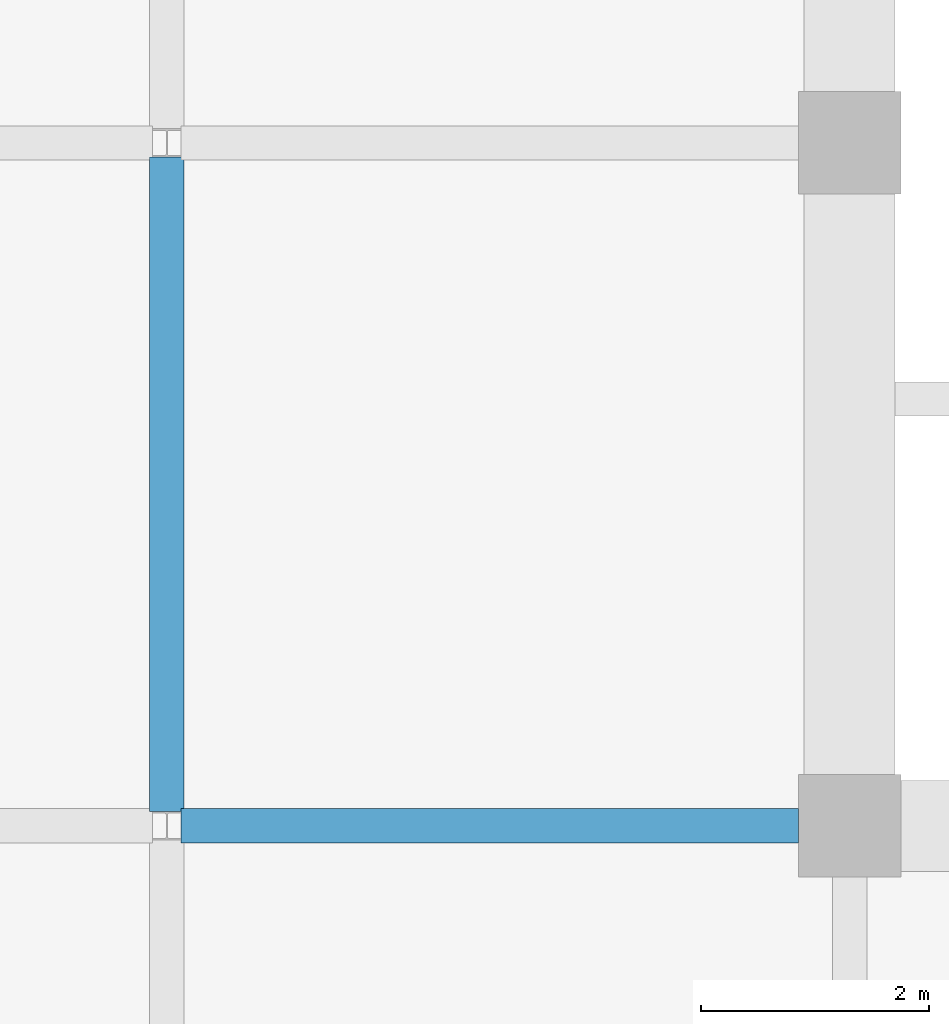
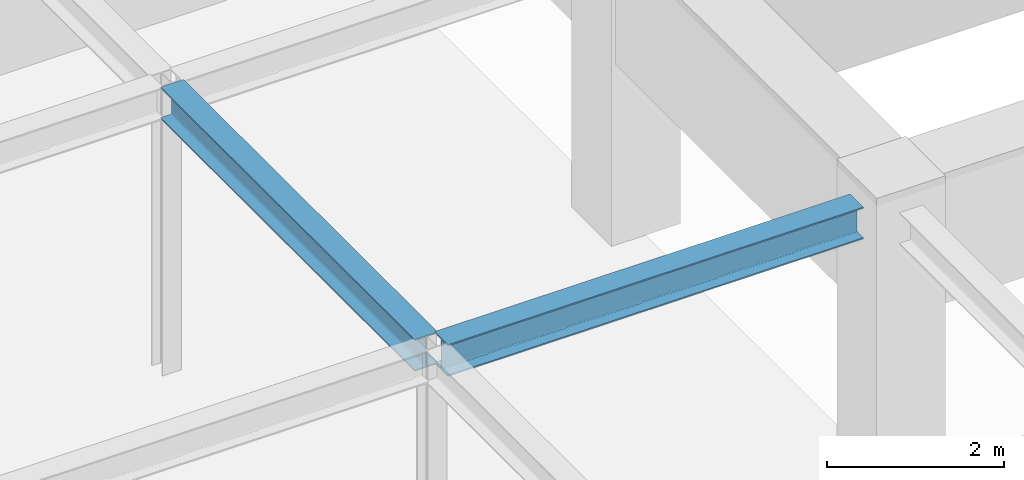
# One storey, part 50 of 111: 2 beams.
"""IFC4 building model written with IfcOpenShell, lengths in metres."""

import ifcopenshell
import ifcopenshell.guid

model = None  # the IFC model being written
_history = None  # IfcOwnerHistory: only IFC2X3 demands one
_inside = {}  # id of a spatial element -> (the spatial element, [elements in it])
_under = {}  # id of a project, library or spatial element -> (it, [spatial elements below it])
_declared = {}  # id of a project -> (the project, [libraries it declares])
_typed = {}  # id of a type object -> (the type object, [elements of that type])
_made_of = {}  # id of a material, layer set ... -> (it, [elements and type objects made of it])


def new_model(schema):
    """Start an empty IFC model of exactly this schema.

    Asked for "IFC4X3", IfcOpenShell would pick the latest addendum, in which some entities
    have other attributes; the version numbers below select the first issue.
    IFC2X3 requires an IfcOwnerHistory on every rooted entity: one is made here for all.
    """
    global model, _history
    if schema == "IFC4X3":
        model = ifcopenshell.file(schema_version=(4, 3, 0, 0))
    else:
        model = ifcopenshell.file(schema=schema)
    _inside.clear()
    _under.clear()
    _declared.clear()
    _typed.clear()
    _made_of.clear()
    _history = None
    if model.schema == "IFC2X3":
        org = make("IfcOrganization", Name="unknown")
        user = make(
            "IfcPersonAndOrganization",
            ThePerson=make("IfcPerson", FamilyName="unknown"),
            TheOrganization=org,
        )
        app = make(
            "IfcApplication",
            ApplicationDeveloper=org,
            Version="unknown",
            ApplicationFullName="unknown",
            ApplicationIdentifier="unknown",
        )
        _history = make(
            "IfcOwnerHistory",
            OwningUser=user,
            OwningApplication=app,
            ChangeAction="ADDED",
            CreationDate=0,
        )
    return model


def make(cls, **values):
    """One entity of the class cls with the attributes given. An attribute that is None is left unset."""
    return model.create_entity(
        cls, **{name: value for name, value in values.items() if value is not None}
    )


def rooted(cls, **values):
    """An entity with a GlobalId (a new one), such as an element, a storey or a relation."""
    return make(cls, GlobalId=ifcopenshell.guid.new(), OwnerHistory=_history, **values)


def si_unit(unit_type, name, prefix=None):
    """IfcSIUnit, for example si_unit("LENGTHUNIT", "METRE", prefix="MILLI")."""
    return make("IfcSIUnit", UnitType=unit_type, Prefix=prefix, Name=name)


def assignment(units):
    """IfcUnitAssignment: the units of a project."""
    return None if units is None else make("IfcUnitAssignment", Units=units)


def point(xyz):
    """IfcCartesianPoint."""
    return None if xyz is None else make("IfcCartesianPoint", Coordinates=xyz)


def direction(xyz):
    """IfcDirection."""
    return None if xyz is None else make("IfcDirection", DirectionRatios=xyz)


def frame(location, z_axis=None, x_axis=None):
    """IfcAxis2Placement3D, a coordinate frame: its origin and axes. An axis left out is left unset."""
    return make(
        "IfcAxis2Placement3D",
        Location=point(location),
        Axis=direction(z_axis),
        RefDirection=direction(x_axis),
    )


def frame_2d(location, x_axis=None):
    """IfcAxis2Placement2D, a coordinate frame in the plane: its origin and x axis."""
    return make(
        "IfcAxis2Placement2D", Location=point(location), RefDirection=direction(x_axis)
    )


def origin():
    """The frame at (0, 0, 0) with its axes left unset."""
    return frame((0.0, 0.0, 0.0))


def origin_2d():
    """The frame at (0, 0) in the plane with its x axis left unset."""
    return frame_2d((0.0, 0.0))


def place(relative_to, where):
    """IfcLocalPlacement: puts the frame where relative to a parent placement (None: the world)."""
    return make(
        "IfcLocalPlacement", PlacementRelTo=relative_to, RelativePlacement=where
    )


def context(
    kind, dimensions, precision=None, world=None, true_north=None, identifier=None
):
    """IfcGeometricRepresentationContext, for example the 3D "Model" context."""
    return make(
        "IfcGeometricRepresentationContext",
        ContextIdentifier=identifier,
        ContextType=kind,
        CoordinateSpaceDimension=dimensions,
        Precision=precision,
        WorldCoordinateSystem=world,
        TrueNorth=true_north,
    )


def subcontext(parent, identifier, kind, view, scale=None):
    """IfcGeometricRepresentationSubContext, for example "Body" below "Model"."""
    return make(
        "IfcGeometricRepresentationSubContext",
        ContextIdentifier=identifier,
        ContextType=kind,
        ParentContext=parent,
        TargetScale=scale,
        TargetView=view,
    )


def project(units=None, contexts=None):
    """IfcProject with its units and contexts."""
    return rooted(
        "IfcProject",
        Name="project",
        RepresentationContexts=contexts,
        UnitsInContext=assignment(units),
    )


def spatial(cls, under=None, at=None, **own):
    """A site, building, storey or space (cls), placed at a placement, below another one or the project."""
    s = rooted(cls, ObjectPlacement=at, **own)
    if under is not None:
        _under.setdefault(under.id(), (under, []))[1].append(s)
    return s


def profile(cls, at=None, kind="AREA", **sizes):
    """A parametric profile (cls). Its sizes go by their IFC names, for example OverallWidth=200.0."""
    return make(cls, ProfileType=kind, Position=at, **sizes)


def i_section(**sizes):
    """IfcIShapeProfileDef."""
    return profile("IfcIShapeProfileDef", **sizes)


def extrude(swept, where, along, depth):
    """IfcExtrudedAreaSolid: the profile swept, set in the frame where, extruded along a direction by depth."""
    return make(
        "IfcExtrudedAreaSolid",
        SweptArea=swept,
        Position=where,
        ExtrudedDirection=direction(along),
        Depth=depth,
    )


def shape(context_of_items, identifier, shape_type, items):
    """IfcShapeRepresentation: the items that make up one representation, for example the "Body"."""
    return make(
        "IfcShapeRepresentation",
        ContextOfItems=context_of_items,
        RepresentationIdentifier=identifier,
        RepresentationType=shape_type,
        Items=items,
    )


def material(Name=None, Category=None):
    """IfcMaterial."""
    return make("IfcMaterial", Name=Name, Category=Category)


def material_profile(
    of_material, cross_section, Name=None, Category=None, Priority=None
):
    """IfcMaterialProfile: a cross section and its material."""
    return make(
        "IfcMaterialProfile",
        Name=Name,
        Material=of_material,
        Profile=cross_section,
        Priority=Priority,
        Category=Category,
    )


def profile_set(profiles, Name=None, composite=None):
    """IfcMaterialProfileSet."""
    return make(
        "IfcMaterialProfileSet",
        Name=Name,
        MaterialProfiles=profiles,
        CompositeProfile=composite,
    )


def made_of(thing, what):
    """Note that an element or type object is made of a material, layer set ...; save() writes the relation."""
    if what is not None:
        _made_of.setdefault(what.id(), (what, []))[1].append(thing)
    return thing


def type_object(cls, material=None, **own):
    """A type object (cls), such as IfcWallType, which elements share."""
    return made_of(rooted(cls, **own), material)


def element(
    cls,
    number,
    at=None,
    inside=None,
    cuts=None,
    type_object=None,
    material=None,
    context=None,
    identifier="Body",
    shape_type=None,
    held_by="IfcProductDefinitionShape",
    body=None,
    shapes=None,
    **own,
):
    """One element of the class cls, such as IfcWall. Its Tag is "e" and its number.

    at: its placement. inside: the storey or other place that contains it. cuts: it is an
    opening in that element (IfcRelVoidsElement). A single representation is given by context,
    identifier, shape_type and body (its items); several are given by shapes. held_by: the class
    of the entity that holds the representations. save() writes the other relations.
    """
    e = rooted(cls, Tag="e%d" % number, ObjectPlacement=at, **own)
    if body is not None:
        shapes = [shape(context, identifier, shape_type, body)]
    if shapes is not None:
        e.Representation = make(held_by, Representations=shapes)
    if inside is not None:
        _inside.setdefault(inside.id(), (inside, []))[1].append(e)
    if cuts is not None:
        rooted(
            "IfcRelVoidsElement", RelatingBuildingElement=cuts, RelatedOpeningElement=e
        )
    if type_object is not None:
        _typed.setdefault(type_object.id(), (type_object, []))[1].append(e)
    return made_of(e, material)


def aggregate(whole, parts):
    """IfcRelAggregates: a whole, such as a stair, and the parts it consists of."""
    return rooted("IfcRelAggregates", RelatingObject=whole, RelatedObjects=parts)


def save(model, path):
    """Write the relations noted so far, then the file.

    IfcRelAggregates (storeys below a building ...), IfcRelContainedInSpatialStructure (elements
    in a storey), IfcRelDefinesByType, IfcRelAssociatesMaterial and IfcRelDeclares: one each for
    every whole, place, type object, material and project.
    """
    for whole, parts in _under.values():
        aggregate(whole, parts)
    for where, things in _inside.values():
        rooted(
            "IfcRelContainedInSpatialStructure",
            RelatedElements=things,
            RelatingStructure=where,
        )
    for kind, things in _typed.values():
        rooted("IfcRelDefinesByType", RelatedObjects=things, RelatingType=kind)
    for what, things in _made_of.values():
        rooted("IfcRelAssociatesMaterial", RelatedObjects=things, RelatingMaterial=what)
    for by, libraries in _declared.values():
        rooted("IfcRelDeclares", RelatingContext=by, RelatedDefinitions=libraries)
    model.write(path)


model = new_model("IFC4")

# Units and contexts
model_context = context("Model", 3, precision=1e-05, world=origin(), true_north=direction((0.0, 1.0)))
body_context = subcontext(model_context, "Body", "Model", "MODEL_VIEW")
ifc_project = project(units=[si_unit("LENGTHUNIT", "METRE"), si_unit("AREAUNIT", "SQUARE_METRE"), si_unit("VOLUMEUNIT", "CUBIC_METRE"), si_unit("PLANEANGLEUNIT", "RADIAN"), si_unit("MASSUNIT", "GRAM", prefix="KILO")], contexts=[model_context])

# Site, building, storey
site_placement = place(None, origin())
site = spatial("IfcSite", under=ifc_project, at=site_placement, CompositionType="ELEMENT")
building_placement = place(site_placement, origin())
building = spatial("IfcBuilding", under=site, at=building_placement, Name="Zlatovratsky Civic Hall", CompositionType="ELEMENT")
storey_placement = place(building_placement, frame((0.0, 0.0, 16.5)))
storey = spatial("IfcBuildingStorey", under=building, at=storey_placement, Name="L04", CompositionType="ELEMENT", Elevation=16.5)

# Beams
ifc_material = material(Name="Steel S355", Category="steel")
ifc_material_profile = material_profile(ifc_material, i_section(OverallWidth=0.300048828125, OverallDepth=0.43994140625, WebThickness=0.010986328125, FlangeThickness=0.01806640625, FilletRadius=0.02197265625, at=origin_2d()), Name="45Sh1")
ifc_profile_set = profile_set([ifc_material_profile], Name="Steel S355")
beam_type = type_object("IfcBeamType", Name="Beam_TowerLow_45Sh1", PredefinedType="BEAM", material=ifc_profile_set)
beam_1_placement = place(storey_placement, frame((60.125, 42.0, 3.780029296875), z_axis=(1.0, 0.0, 0.0), x_axis=(0.0, 1.0, 0.0)))
element("IfcBeam", 1, at=beam_1_placement, inside=storey, type_object=beam_type, Name="BM-3294", PredefinedType="BEAM", context=body_context, shape_type="SweptSolid", body=[
    extrude(i_section(OverallWidth=0.300048828125, OverallDepth=0.43994140625, WebThickness=0.010986328125, FlangeThickness=0.01806640625, FilletRadius=0.02197265625, at=origin_2d()), origin(), (0.0, 0.0, 1.0), 5.425048828125),
])
beam_2_placement = place(storey_placement, frame((60.0, 42.125, 3.780029296875), z_axis=(0.0, 1.0, 0.0), x_axis=(-1.0, 0.0, 0.0)))
element("IfcBeam", 2, at=beam_2_placement, inside=storey, type_object=beam_type, Name="BM-3623", PredefinedType="BEAM", context=body_context, shape_type="SweptSolid", body=[
    extrude(i_section(OverallWidth=0.300048828125, OverallDepth=0.43994140625, WebThickness=0.010986328125, FlangeThickness=0.01806640625, FilletRadius=0.02197265625, at=origin_2d()), origin(), (0.0, 0.0, 1.0), 5.75),
])

save(model, "model.ifc")
